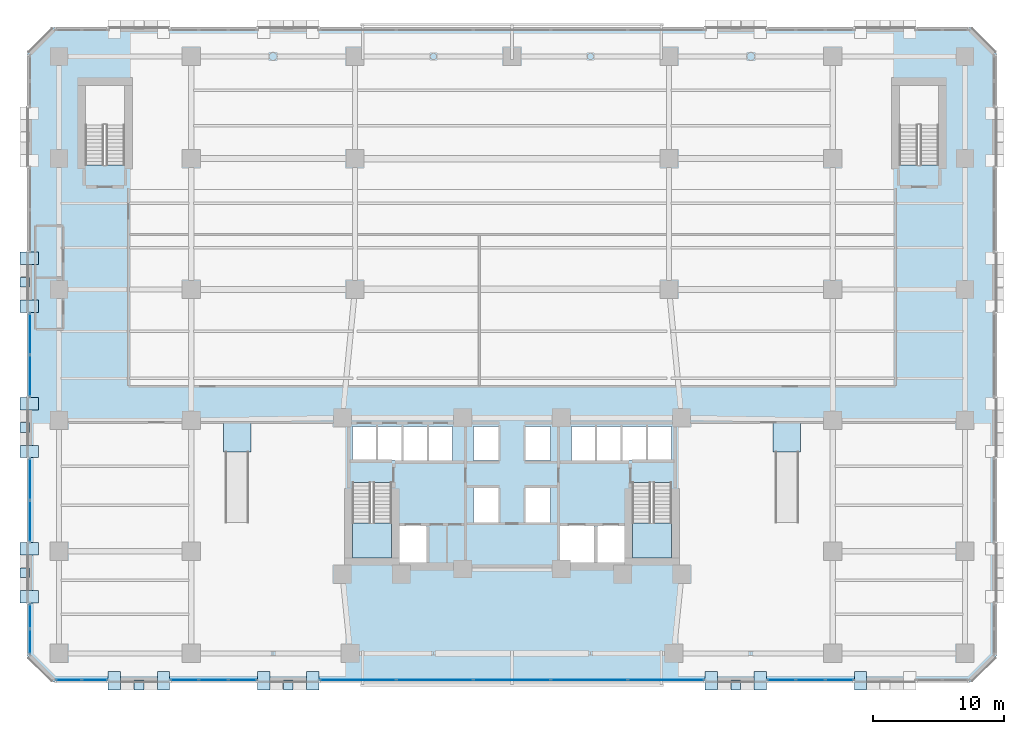
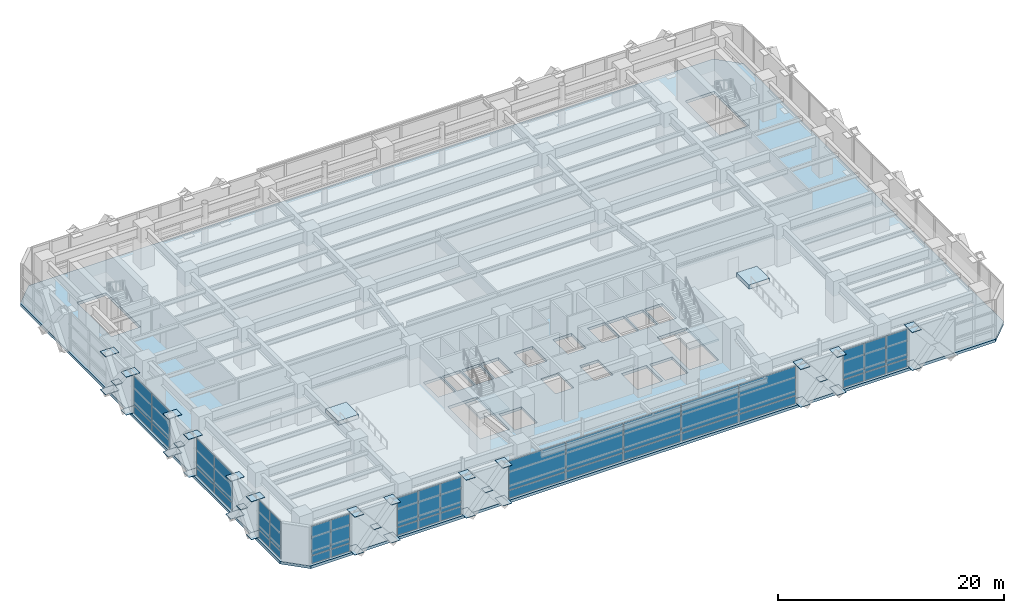
# One storey, part 14 of 30: 70 plates, 5 slabs, 9 elements without a shape of their own.
"""IFC4 building model written with IfcOpenShell, lengths in metres."""

from ifc_helpers import new_model, si_unit, direction, frame, origin, origin_2d, place, context, subcontext, project, spatial, polyline, rectangle, outline, extrude, material, layer, layer_set, type_object, element, aggregate, save


model = new_model("IFC4")

# Units and contexts
model_context = context("Model", 3, precision=1e-05, world=origin(), true_north=direction((0.0, 1.0)))
body_context = subcontext(model_context, "Body", "Model", "MODEL_VIEW")
ifc_project = project(units=[si_unit("LENGTHUNIT", "METRE"), si_unit("AREAUNIT", "SQUARE_METRE"), si_unit("VOLUMEUNIT", "CUBIC_METRE"), si_unit("PLANEANGLEUNIT", "RADIAN"), si_unit("MASSUNIT", "GRAM", prefix="KILO")], contexts=[model_context])

# Site, building, storey
site_placement = place(None, origin())
site = spatial("IfcSite", under=ifc_project, at=site_placement, CompositionType="ELEMENT")
building_placement = place(site_placement, origin())
building = spatial("IfcBuilding", under=site, at=building_placement, Name="Quenlor Broadcast Tower", CompositionType="ELEMENT")
storey_placement = place(building_placement, frame((0.0, 0.0, 9.5)))
storey = spatial("IfcBuildingStorey", under=building, at=storey_placement, Name="L02", CompositionType="ELEMENT", Elevation=9.5)

# Slabs
ifc_material_1 = material(Name="Concrete C40/50", Category="concrete")
ifc_layer_1 = layer(ifc_material_1, 0.449951171875)
ifc_layer_set_1 = layer_set([ifc_layer_1], Name="Broadcast Raised Concrete C40/50 Plinth Slab 450")
slab_type_1 = type_object("IfcSlabType", Name="Broadcast Raised Concrete C40/50 Plinth Slab 450", PredefinedType="FLOOR", material=ifc_layer_set_1)
slab_1_placement = place(storey_placement, origin())
element("IfcSlab", 1, at=slab_1_placement, inside=storey, type_object=slab_type_1, Name="L02 Accessible Ramp Arrival Plinth 1", PredefinedType="FLOOR", context=body_context, shape_type="SweptSolid", body=[
    extrude(outline(polyline([(-22.050048828125, -7.39990234375), (-19.949951171875, -7.39990234375), (-19.949951171875, -5.199951171875), (-22.050048828125, -5.199951171875), (-22.050048828125, -7.39990234375)])), origin(), (0.0, 0.0, 1.0), 0.449951171875),
])
slab_2_placement = place(storey_placement, origin())
element("IfcSlab", 2, at=slab_2_placement, inside=storey, type_object=slab_type_1, Name="L02 Accessible Ramp Arrival Plinth 2", PredefinedType="FLOOR", context=body_context, shape_type="SweptSolid", body=[
    extrude(outline(polyline([(19.949951171875, -7.39990234375), (22.050048828125, -7.39990234375), (22.050048828125, -5.199951171875), (19.949951171875, -5.199951171875), (19.949951171875, -7.39990234375)])), origin(), (0.0, 0.0, 1.0), 0.449951171875),
])

# Curtain wall, plates
ifc_material_2 = material(Name="Architectural Terracotta and Low-E Glazing", Category="masonry")
curtain_wall_type = type_object("IfcCurtainWallType", Name="Station Concourse and Crown Terracotta Curtain Wall", PredefinedType="NOTDEFINED", material=ifc_material_2)
curtain_wall_1_placement = place(storey_placement, origin())
curtain_wall_1 = element("IfcCurtainWall", 3, at=curtain_wall_1_placement, inside=storey, type_object=curtain_wall_type, Name="L02 Curtain Wall CW6 (L02-S-FULL-G2)", PredefinedType="NOTDEFINED")
ifc_material_3 = material(Name="Double Glazed Low-E Solar Glass", Category="glass")
ifc_layer_2 = layer(ifc_material_3, 0.033935546875)
ifc_layer_set_2 = layer_set([ifc_layer_2], Name="CW6 Double Glazed Vision Panel 34")
plate_type_1 = type_object("IfcPlateType", Name="CW6 Double Glazed Vision Panel 34", PredefinedType="CURTAIN_PANEL", material=ifc_layer_set_2)
plate_1_placement = place(storey_placement, frame((25.01318359375, -24.820068359375, 0.08203125), z_axis=(0.0, 0.0, 1.0), x_axis=(-1.0, 0.0, 0.0)))
plate_1 = element("IfcPlate", 4, at=plate_1_placement, type_object=plate_type_1, Name="CW6 panel 1.1", PredefinedType="CURTAIN_PANEL", context=body_context, shape_type="SweptSolid", body=[
    extrude(rectangle(XDim=2.110595703125, YDim=0.033935546875, at=origin_2d()), origin(), (0.0, 0.0, 1.0), 0.826904296875),
])
plate_2_placement = place(storey_placement, frame((25.01318359375, -24.820068359375, 0.990966796875), z_axis=(0.0, 0.0, 1.0), x_axis=(-1.0, 0.0, 0.0)))
plate_2 = element("IfcPlate", 5, at=plate_2_placement, type_object=plate_type_1, Name="CW6 panel 1.2", PredefinedType="CURTAIN_PANEL", context=body_context, shape_type="SweptSolid", body=[
    extrude(rectangle(XDim=2.110595703125, YDim=0.033935546875, at=origin_2d()), origin(), (0.0, 0.0, 1.0), 3.126953125),
])
plate_3_placement = place(storey_placement, frame((22.800048828125, -24.820068359375, 0.08203125), z_axis=(0.0, 0.0, 1.0), x_axis=(-1.0, 0.0, 0.0)))
plate_3 = element("IfcPlate", 6, at=plate_3_placement, type_object=plate_type_1, Name="CW6 panel 2.1", PredefinedType="CURTAIN_PANEL", context=body_context, shape_type="SweptSolid", body=[
    extrude(rectangle(XDim=2.151611328125, YDim=0.033935546875, at=origin_2d()), origin(), (0.0, 0.0, 1.0), 0.826904296875),
])
plate_4_placement = place(storey_placement, frame((22.800048828125, -24.820068359375, 0.990966796875), z_axis=(0.0, 0.0, 1.0), x_axis=(-1.0, 0.0, 0.0)))
plate_4 = element("IfcPlate", 7, at=plate_4_placement, type_object=plate_type_1, Name="CW6 panel 2.2", PredefinedType="CURTAIN_PANEL", context=body_context, shape_type="SweptSolid", body=[
    extrude(rectangle(XDim=2.151611328125, YDim=0.033935546875, at=origin_2d()), origin(), (0.0, 0.0, 1.0), 3.126953125),
])
plate_5_placement = place(storey_placement, frame((20.5869140625, -24.820068359375, 0.08203125), z_axis=(0.0, 0.0, 1.0), x_axis=(-1.0, 0.0, 0.0)))
plate_5 = element("IfcPlate", 8, at=plate_5_placement, type_object=plate_type_1, Name="CW6 panel 3.1", PredefinedType="CURTAIN_PANEL", context=body_context, shape_type="SweptSolid", body=[
    extrude(rectangle(XDim=2.110595703125, YDim=0.033935546875, at=origin_2d()), origin(), (0.0, 0.0, 1.0), 0.826904296875),
])
plate_6_placement = place(storey_placement, frame((20.5869140625, -24.820068359375, 0.990966796875), z_axis=(0.0, 0.0, 1.0), x_axis=(-1.0, 0.0, 0.0)))
plate_6 = element("IfcPlate", 9, at=plate_6_placement, type_object=plate_type_1, Name="CW6 panel 3.2", PredefinedType="CURTAIN_PANEL", context=body_context, shape_type="SweptSolid", body=[
    extrude(rectangle(XDim=2.110595703125, YDim=0.033935546875, at=origin_2d()), origin(), (0.0, 0.0, 1.0), 3.126953125),
])
aggregate(curtain_wall_1, [plate_1, plate_2, plate_3, plate_4, plate_5, plate_6])

curtain_wall_2_placement = place(storey_placement, origin())
curtain_wall_2 = element("IfcCurtainWall", 10, at=curtain_wall_2_placement, inside=storey, type_object=curtain_wall_type, Name="L02 Curtain Wall CW6 (L02-S-FULL-G3)", PredefinedType="NOTDEFINED")
plate_7_placement = place(storey_placement, frame((11.77978515625, -24.820068359375, 0.08203125), z_axis=(0.0, 0.0, 1.0), x_axis=(-1.0, 0.0, 0.0)))
plate_7 = element("IfcPlate", 11, at=plate_7_placement, type_object=plate_type_1, Name="CW6 panel 1.1", PredefinedType="CURTAIN_PANEL", context=body_context, shape_type="SweptSolid", body=[
    extrude(rectangle(XDim=5.777099609375, YDim=0.033935546875, at=origin_2d()), origin(), (0.0, 0.0, 1.0), 0.826904296875),
])
plate_8_placement = place(storey_placement, frame((11.77978515625, -24.820068359375, 0.990966796875), z_axis=(0.0, 0.0, 1.0), x_axis=(-1.0, 0.0, 0.0)))
plate_8 = element("IfcPlate", 12, at=plate_8_placement, type_object=plate_type_1, Name="CW6 panel 1.2", PredefinedType="CURTAIN_PANEL", context=body_context, shape_type="SweptSolid", body=[
    extrude(rectangle(XDim=5.777099609375, YDim=0.033935546875, at=origin_2d()), origin(), (0.0, 0.0, 1.0), 3.126953125),
])
plate_9_placement = place(storey_placement, frame((5.900146484375, -24.820068359375, 0.08203125), z_axis=(0.0, 0.0, 1.0), x_axis=(-1.0, 0.0, 0.0)))
plate_9 = element("IfcPlate", 13, at=plate_9_placement, type_object=plate_type_1, Name="CW6 panel 2.1", PredefinedType="CURTAIN_PANEL", context=body_context, shape_type="SweptSolid", body=[
    extrude(rectangle(XDim=5.818115234375, YDim=0.033935546875, at=origin_2d()), origin(), (0.0, 0.0, 1.0), 0.826904296875),
])
plate_10_placement = place(storey_placement, frame((5.900146484375, -24.820068359375, 0.990966796875), z_axis=(0.0, 0.0, 1.0), x_axis=(-1.0, 0.0, 0.0)))
plate_10 = element("IfcPlate", 14, at=plate_10_placement, type_object=plate_type_1, Name="CW6 panel 2.2", PredefinedType="CURTAIN_PANEL", context=body_context, shape_type="SweptSolid", body=[
    extrude(rectangle(XDim=5.818115234375, YDim=0.033935546875, at=origin_2d()), origin(), (0.0, 0.0, 1.0), 3.126953125),
])
plate_11_placement = place(storey_placement, frame((0.0, -24.820068359375, 0.08203125), z_axis=(0.0, 0.0, 1.0), x_axis=(-1.0, 0.0, 0.0)))
plate_11 = element("IfcPlate", 15, at=plate_11_placement, type_object=plate_type_1, Name="CW6 panel 3.1", PredefinedType="CURTAIN_PANEL", context=body_context, shape_type="SweptSolid", body=[
    extrude(rectangle(XDim=5.818115234375, YDim=0.033935546875, at=origin_2d()), origin(), (0.0, 0.0, 1.0), 0.826904296875),
])
plate_12_placement = place(storey_placement, frame((0.0, -24.820068359375, 0.990966796875), z_axis=(0.0, 0.0, 1.0), x_axis=(-1.0, 0.0, 0.0)))
plate_12 = element("IfcPlate", 16, at=plate_12_placement, type_object=plate_type_1, Name="CW6 panel 3.2", PredefinedType="CURTAIN_PANEL", context=body_context, shape_type="SweptSolid", body=[
    extrude(rectangle(XDim=5.818115234375, YDim=0.033935546875, at=origin_2d()), origin(), (0.0, 0.0, 1.0), 3.126953125),
])
plate_13_placement = place(storey_placement, frame((-5.900146484375, -24.820068359375, 0.08203125), z_axis=(0.0, 0.0, 1.0), x_axis=(-1.0, 0.0, 0.0)))
plate_13 = element("IfcPlate", 17, at=plate_13_placement, type_object=plate_type_1, Name="CW6 panel 4.1", PredefinedType="CURTAIN_PANEL", context=body_context, shape_type="SweptSolid", body=[
    extrude(rectangle(XDim=5.818115234375, YDim=0.033935546875, at=origin_2d()), origin(), (0.0, 0.0, 1.0), 0.826904296875),
])
plate_14_placement = place(storey_placement, frame((-5.900146484375, -24.820068359375, 0.990966796875), z_axis=(0.0, 0.0, 1.0), x_axis=(-1.0, 0.0, 0.0)))
plate_14 = element("IfcPlate", 18, at=plate_14_placement, type_object=plate_type_1, Name="CW6 panel 4.2", PredefinedType="CURTAIN_PANEL", context=body_context, shape_type="SweptSolid", body=[
    extrude(rectangle(XDim=5.818115234375, YDim=0.033935546875, at=origin_2d()), origin(), (0.0, 0.0, 1.0), 3.126953125),
])
plate_15_placement = place(storey_placement, frame((-11.77978515625, -24.820068359375, 0.08203125), z_axis=(0.0, 0.0, 1.0), x_axis=(-1.0, 0.0, 0.0)))
plate_15 = element("IfcPlate", 19, at=plate_15_placement, type_object=plate_type_1, Name="CW6 panel 5.1", PredefinedType="CURTAIN_PANEL", context=body_context, shape_type="SweptSolid", body=[
    extrude(rectangle(XDim=5.777099609375, YDim=0.033935546875, at=origin_2d()), origin(), (0.0, 0.0, 1.0), 0.826904296875),
])
plate_16_placement = place(storey_placement, frame((-11.77978515625, -24.820068359375, 0.990966796875), z_axis=(0.0, 0.0, 1.0), x_axis=(-1.0, 0.0, 0.0)))
plate_16 = element("IfcPlate", 20, at=plate_16_placement, type_object=plate_type_1, Name="CW6 panel 5.2", PredefinedType="CURTAIN_PANEL", context=body_context, shape_type="SweptSolid", body=[
    extrude(rectangle(XDim=5.777099609375, YDim=0.033935546875, at=origin_2d()), origin(), (0.0, 0.0, 1.0), 3.126953125),
])
aggregate(curtain_wall_2, [plate_7, plate_8, plate_9, plate_10, plate_11, plate_12, plate_13, plate_14, plate_15, plate_16])

curtain_wall_3_placement = place(storey_placement, origin())
curtain_wall_3 = element("IfcCurtainWall", 21, at=curtain_wall_3_placement, inside=storey, type_object=curtain_wall_type, Name="L02 Curtain Wall CW6 (L02-S-FULL-G4)", PredefinedType="NOTDEFINED")
plate_17_placement = place(storey_placement, frame((-20.5869140625, -24.820068359375, 0.08203125), z_axis=(0.0, 0.0, 1.0), x_axis=(-1.0, 0.0, 0.0)))
plate_17 = element("IfcPlate", 22, at=plate_17_placement, type_object=plate_type_1, Name="CW6 panel 1.1", PredefinedType="CURTAIN_PANEL", context=body_context, shape_type="SweptSolid", body=[
    extrude(rectangle(XDim=2.110595703125, YDim=0.033935546875, at=origin_2d()), origin(), (0.0, 0.0, 1.0), 0.826904296875),
])
plate_18_placement = place(storey_placement, frame((-20.5869140625, -24.820068359375, 0.990966796875), z_axis=(0.0, 0.0, 1.0), x_axis=(-1.0, 0.0, 0.0)))
plate_18 = element("IfcPlate", 23, at=plate_18_placement, type_object=plate_type_1, Name="CW6 panel 1.2", PredefinedType="CURTAIN_PANEL", context=body_context, shape_type="SweptSolid", body=[
    extrude(rectangle(XDim=2.110595703125, YDim=0.033935546875, at=origin_2d()), origin(), (0.0, 0.0, 1.0), 3.126953125),
])
plate_19_placement = place(storey_placement, frame((-22.800048828125, -24.820068359375, 0.08203125), z_axis=(0.0, 0.0, 1.0), x_axis=(-1.0, 0.0, 0.0)))
plate_19 = element("IfcPlate", 24, at=plate_19_placement, type_object=plate_type_1, Name="CW6 panel 2.1", PredefinedType="CURTAIN_PANEL", context=body_context, shape_type="SweptSolid", body=[
    extrude(rectangle(XDim=2.151611328125, YDim=0.033935546875, at=origin_2d()), origin(), (0.0, 0.0, 1.0), 0.826904296875),
])
plate_20_placement = place(storey_placement, frame((-22.800048828125, -24.820068359375, 0.990966796875), z_axis=(0.0, 0.0, 1.0), x_axis=(-1.0, 0.0, 0.0)))
plate_20 = element("IfcPlate", 25, at=plate_20_placement, type_object=plate_type_1, Name="CW6 panel 2.2", PredefinedType="CURTAIN_PANEL", context=body_context, shape_type="SweptSolid", body=[
    extrude(rectangle(XDim=2.151611328125, YDim=0.033935546875, at=origin_2d()), origin(), (0.0, 0.0, 1.0), 3.126953125),
])
plate_21_placement = place(storey_placement, frame((-25.01318359375, -24.820068359375, 0.08203125), z_axis=(0.0, 0.0, 1.0), x_axis=(-1.0, 0.0, 0.0)))
plate_21 = element("IfcPlate", 26, at=plate_21_placement, type_object=plate_type_1, Name="CW6 panel 3.1", PredefinedType="CURTAIN_PANEL", context=body_context, shape_type="SweptSolid", body=[
    extrude(rectangle(XDim=2.110595703125, YDim=0.033935546875, at=origin_2d()), origin(), (0.0, 0.0, 1.0), 0.826904296875),
])
plate_22_placement = place(storey_placement, frame((-25.01318359375, -24.820068359375, 0.990966796875), z_axis=(0.0, 0.0, 1.0), x_axis=(-1.0, 0.0, 0.0)))
plate_22 = element("IfcPlate", 27, at=plate_22_placement, type_object=plate_type_1, Name="CW6 panel 3.2", PredefinedType="CURTAIN_PANEL", context=body_context, shape_type="SweptSolid", body=[
    extrude(rectangle(XDim=2.110595703125, YDim=0.033935546875, at=origin_2d()), origin(), (0.0, 0.0, 1.0), 3.126953125),
])
aggregate(curtain_wall_3, [plate_17, plate_18, plate_19, plate_20, plate_21, plate_22])

curtain_wall_4_placement = place(storey_placement, origin())
curtain_wall_4 = element("IfcCurtainWall", 28, at=curtain_wall_4_placement, inside=storey, type_object=curtain_wall_type, Name="L02 Curtain Wall CW6 (L02-S-FULL-G5)", PredefinedType="NOTDEFINED")
plate_23_placement = place(storey_placement, frame((-31.882568359375, -24.820068359375, 0.08203125), z_axis=(0.0, 0.0, 1.0), x_axis=(-1.0, 0.0, 0.0)))
plate_23 = element("IfcPlate", 29, at=plate_23_placement, type_object=plate_type_1, Name="CW6 panel 1.1", PredefinedType="CURTAIN_PANEL", context=body_context, shape_type="SweptSolid", body=[
    extrude(rectangle(XDim=1.90234375, YDim=0.033935546875, at=origin_2d()), origin(), (0.0, 0.0, 1.0), 0.826904296875),
])
plate_24_placement = place(storey_placement, frame((-31.882568359375, -24.820068359375, 0.990966796875), z_axis=(0.0, 0.0, 1.0), x_axis=(-1.0, 0.0, 0.0)))
plate_24 = element("IfcPlate", 30, at=plate_24_placement, type_object=plate_type_1, Name="CW6 panel 1.2", PredefinedType="CURTAIN_PANEL", context=body_context, shape_type="SweptSolid", body=[
    extrude(rectangle(XDim=1.90234375, YDim=0.033935546875, at=origin_2d()), origin(), (0.0, 0.0, 1.0), 3.126953125),
])
plate_25_placement = place(storey_placement, frame((-33.866943359375, -24.820068359375, 0.08203125), z_axis=(0.0, 0.0, 1.0), x_axis=(-1.0, 0.0, 0.0)))
plate_25 = element("IfcPlate", 31, at=plate_25_placement, type_object=plate_type_1, Name="CW6 panel 2.1", PredefinedType="CURTAIN_PANEL", context=body_context, shape_type="SweptSolid", body=[
    extrude(rectangle(XDim=1.90234375, YDim=0.033935546875, at=origin_2d()), origin(), (0.0, 0.0, 1.0), 0.826904296875),
])
plate_26_placement = place(storey_placement, frame((-33.866943359375, -24.820068359375, 0.990966796875), z_axis=(0.0, 0.0, 1.0), x_axis=(-1.0, 0.0, 0.0)))
plate_26 = element("IfcPlate", 32, at=plate_26_placement, type_object=plate_type_1, Name="CW6 panel 2.2", PredefinedType="CURTAIN_PANEL", context=body_context, shape_type="SweptSolid", body=[
    extrude(rectangle(XDim=1.90234375, YDim=0.033935546875, at=origin_2d()), origin(), (0.0, 0.0, 1.0), 3.126953125),
])
aggregate(curtain_wall_4, [plate_23, plate_24, plate_25, plate_26])

curtain_wall_5_placement = place(storey_placement, origin())
curtain_wall_5 = element("IfcCurtainWall", 33, at=curtain_wall_5_placement, inside=storey, type_object=curtain_wall_type, Name="L02 Curtain Wall CW6 (L02-W-FULL-G1)", PredefinedType="NOTDEFINED")
plate_27_placement = place(storey_placement, frame((-36.820068359375, -21.892578125, 0.08203125), z_axis=(0.0, 0.0, 1.0), x_axis=(0.0, 1.0, 0.0)))
plate_27 = element("IfcPlate", 34, at=plate_27_placement, type_object=plate_type_1, Name="CW6 panel 1.1", PredefinedType="CURTAIN_PANEL", context=body_context, shape_type="SweptSolid", body=[
    extrude(rectangle(XDim=1.8505859375, YDim=0.033935546875, at=origin_2d()), origin(), (0.0, 0.0, 1.0), 0.826904296875),
])
plate_28_placement = place(storey_placement, frame((-36.820068359375, -21.892578125, 0.990966796875), z_axis=(0.0, 0.0, 1.0), x_axis=(0.0, 1.0, 0.0)))
plate_28 = element("IfcPlate", 35, at=plate_28_placement, type_object=plate_type_1, Name="CW6 panel 1.2", PredefinedType="CURTAIN_PANEL", context=body_context, shape_type="SweptSolid", body=[
    extrude(rectangle(XDim=1.8505859375, YDim=0.033935546875, at=origin_2d()), origin(), (0.0, 0.0, 1.0), 3.126953125),
])
plate_29_placement = place(storey_placement, frame((-36.820068359375, -19.9599609375, 0.08203125), z_axis=(0.0, 0.0, 1.0), x_axis=(0.0, 1.0, 0.0)))
plate_29 = element("IfcPlate", 36, at=plate_29_placement, type_object=plate_type_1, Name="CW6 panel 2.1", PredefinedType="CURTAIN_PANEL", context=body_context, shape_type="SweptSolid", body=[
    extrude(rectangle(XDim=1.8505859375, YDim=0.033935546875, at=origin_2d()), origin(), (0.0, 0.0, 1.0), 0.826904296875),
])
plate_30_placement = place(storey_placement, frame((-36.820068359375, -19.9599609375, 0.990966796875), z_axis=(0.0, 0.0, 1.0), x_axis=(0.0, 1.0, 0.0)))
plate_30 = element("IfcPlate", 37, at=plate_30_placement, type_object=plate_type_1, Name="CW6 panel 2.2", PredefinedType="CURTAIN_PANEL", context=body_context, shape_type="SweptSolid", body=[
    extrude(rectangle(XDim=1.8505859375, YDim=0.033935546875, at=origin_2d()), origin(), (0.0, 0.0, 1.0), 3.126953125),
])
aggregate(curtain_wall_5, [plate_27, plate_28, plate_29, plate_30])

curtain_wall_6_placement = place(storey_placement, origin())
curtain_wall_6 = element("IfcCurtainWall", 38, at=curtain_wall_6_placement, inside=storey, type_object=curtain_wall_type, Name="L02 Curtain Wall CW6 (L02-W-FULL-G2)", PredefinedType="NOTDEFINED")
plate_31_placement = place(storey_placement, frame((-36.820068359375, -12.703125, 0.08203125), z_axis=(0.0, 0.0, 1.0), x_axis=(0.0, 1.0, 0.0)))
plate_31 = element("IfcPlate", 39, at=plate_31_placement, type_object=plate_type_1, Name="CW6 panel 1.1", PredefinedType="CURTAIN_PANEL", context=body_context, shape_type="SweptSolid", body=[
    extrude(rectangle(XDim=3.124267578125, YDim=0.033935546875, at=origin_2d()), origin(), (0.0, 0.0, 1.0), 0.826904296875),
])
plate_32_placement = place(storey_placement, frame((-36.820068359375, -12.703125, 0.990966796875), z_axis=(0.0, 0.0, 1.0), x_axis=(0.0, 1.0, 0.0)))
plate_32 = element("IfcPlate", 40, at=plate_32_placement, type_object=plate_type_1, Name="CW6 panel 1.2", PredefinedType="CURTAIN_PANEL", context=body_context, shape_type="SweptSolid", body=[
    extrude(rectangle(XDim=3.124267578125, YDim=0.033935546875, at=origin_2d()), origin(), (0.0, 0.0, 1.0), 3.126953125),
])
plate_33_placement = place(storey_placement, frame((-36.820068359375, -9.496826171875, 0.08203125), z_axis=(0.0, 0.0, 1.0), x_axis=(0.0, 1.0, 0.0)))
plate_33 = element("IfcPlate", 41, at=plate_33_placement, type_object=plate_type_1, Name="CW6 panel 2.1", PredefinedType="CURTAIN_PANEL", context=body_context, shape_type="SweptSolid", body=[
    extrude(rectangle(XDim=3.124267578125, YDim=0.033935546875, at=origin_2d()), origin(), (0.0, 0.0, 1.0), 0.826904296875),
])
plate_34_placement = place(storey_placement, frame((-36.820068359375, -9.496826171875, 0.990966796875), z_axis=(0.0, 0.0, 1.0), x_axis=(0.0, 1.0, 0.0)))
plate_34 = element("IfcPlate", 42, at=plate_34_placement, type_object=plate_type_1, Name="CW6 panel 2.2", PredefinedType="CURTAIN_PANEL", context=body_context, shape_type="SweptSolid", body=[
    extrude(rectangle(XDim=3.124267578125, YDim=0.033935546875, at=origin_2d()), origin(), (0.0, 0.0, 1.0), 3.126953125),
])
aggregate(curtain_wall_6, [plate_31, plate_32, plate_33, plate_34])

curtain_wall_7_placement = place(storey_placement, origin())
curtain_wall_7 = element("IfcCurtainWall", 43, at=curtain_wall_7_placement, inside=storey, type_object=curtain_wall_type, Name="L02 Curtain Wall CW6 (L02-W-FULL-G3)", PredefinedType="NOTDEFINED")
plate_35_placement = place(storey_placement, frame((-36.820068359375, -1.603271484375, 0.08203125), z_axis=(0.0, 0.0, 1.0), x_axis=(0.0, 1.0, 0.0)))
plate_35 = element("IfcPlate", 44, at=plate_35_placement, type_object=plate_type_1, Name="CW6 panel 1.1", PredefinedType="CURTAIN_PANEL", context=body_context, shape_type="SweptSolid", body=[
    extrude(rectangle(XDim=3.124267578125, YDim=0.033935546875, at=origin_2d()), origin(), (0.0, 0.0, 1.0), 0.826904296875),
])
plate_36_placement = place(storey_placement, frame((-36.820068359375, -1.603271484375, 0.990966796875), z_axis=(0.0, 0.0, 1.0), x_axis=(0.0, 1.0, 0.0)))
plate_36 = element("IfcPlate", 45, at=plate_36_placement, type_object=plate_type_1, Name="CW6 panel 1.2", PredefinedType="CURTAIN_PANEL", context=body_context, shape_type="SweptSolid", body=[
    extrude(rectangle(XDim=3.124267578125, YDim=0.033935546875, at=origin_2d()), origin(), (0.0, 0.0, 1.0), 3.126953125),
])
plate_37_placement = place(storey_placement, frame((-36.820068359375, 1.603271484375, 0.08203125), z_axis=(0.0, 0.0, 1.0), x_axis=(0.0, 1.0, 0.0)))
plate_37 = element("IfcPlate", 46, at=plate_37_placement, type_object=plate_type_1, Name="CW6 panel 2.1", PredefinedType="CURTAIN_PANEL", context=body_context, shape_type="SweptSolid", body=[
    extrude(rectangle(XDim=3.124267578125, YDim=0.033935546875, at=origin_2d()), origin(), (0.0, 0.0, 1.0), 0.826904296875),
])
plate_38_placement = place(storey_placement, frame((-36.820068359375, 1.603271484375, 0.990966796875), z_axis=(0.0, 0.0, 1.0), x_axis=(0.0, 1.0, 0.0)))
plate_38 = element("IfcPlate", 47, at=plate_38_placement, type_object=plate_type_1, Name="CW6 panel 2.2", PredefinedType="CURTAIN_PANEL", context=body_context, shape_type="SweptSolid", body=[
    extrude(rectangle(XDim=3.124267578125, YDim=0.033935546875, at=origin_2d()), origin(), (0.0, 0.0, 1.0), 3.126953125),
])
aggregate(curtain_wall_7, [plate_35, plate_36, plate_37, plate_38])

# Plates
ifc_material_4 = material(Name="Steel S355", Category="steel")
ifc_layer_3 = layer(ifc_material_4, 0.028076171875)
ifc_layer_set_3 = layer_set([ifc_layer_3], Name="Perimeter Lattice Node Steel S355 Cap Plate 740x740x28")
plate_type_2 = type_object("IfcPlateType", Name="Perimeter Lattice Node Steel S355 Cap Plate 740x740x28", PredefinedType="USERDEFINED", material=ifc_layer_set_3)
for number, where, z_axis, x_axis, name in (
    (48, (17.10009765625, -25.215087890625, 2.11572265625), (0.0, 0.0, 1.0), (-1.0, 0.0, 0.0), "L02 Podium Diamond Crossing Node S-C2"),
    (49, (-17.10009765625, -25.215087890625, 2.11572265625), (0.0, 0.0, 1.0), (-1.0, 0.0, 0.0), "L02 Podium Diamond Crossing Node S-C5"),
    (50, (-28.5, -25.215087890625, 2.11572265625), (0.0, 0.0, 1.0), (-1.0, 0.0, 0.0), "L02 Podium Diamond Crossing Node S-C6"),
    (51, (-37.215087890625, -16.64990234375, 2.11572265625), (0.0, 0.0, 1.0), (0.0, 1.0, 0.0), "L02 Podium Diamond Crossing Node W-C1"),
    (52, (-37.215087890625, -5.550048828125, 2.11572265625), (0.0, 0.0, 1.0), (0.0, 1.0, 0.0), "L02 Podium Diamond Crossing Node W-C2"),
    (53, (-37.215087890625, 5.550048828125, 2.11572265625), (0.0, 0.0, 1.0), (0.0, 1.0, 0.0), "L02 Podium Diamond Crossing Node W-C3"),
):
    element("IfcPlate", number, at=place(storey_placement, frame(where, z_axis=z_axis, x_axis=x_axis)), inside=storey, type_object=plate_type_2, Name=name, ObjectType="CAP PLATE", PredefinedType="USERDEFINED", context=body_context, shape_type="SweptSolid", body=[
        extrude(rectangle(XDim=0.739990234375, YDim=0.739990234375, at=origin_2d()), origin(), (0.0, 0.0, 1.0), 0.028076171875),
    ])

# Stair, slab
ifc_material_5 = material(Name="Precast concrete C40/50", Category="concrete")
stair_type = type_object("IfcStairType", Name="Precast Concrete C40/50 Dogleg Stair H450", PredefinedType="HALF_TURN_STAIR", material=ifc_material_5)
stair_1_placement = place(storey_placement, origin())
stair_1 = element("IfcStair", 54, at=stair_1_placement, inside=storey, type_object=stair_type, Name="L02 West Core Fire-Isolated Exit Stair ST-1", PredefinedType="HALF_TURN_STAIR")
ifc_material_6 = material(Name="Precast concrete C40/50", Category="concrete")
ifc_layer_4 = layer(ifc_material_6, 0.199951171875)
ifc_layer_set_4 = layer_set([ifc_layer_4], Name="Precast Concrete C40/50 Stair Landing Slab 200")
slab_type_2 = type_object("IfcSlabType", Name="Precast Concrete C40/50 Stair Landing Slab 200", PredefinedType="LANDING", material=ifc_layer_set_4)
slab_3_placement = place(storey_placement, frame((0.0, 0.0, 2.050048828125)))
slab_3 = element("IfcSlab", 55, at=slab_3_placement, type_object=slab_type_2, Name="ST-1 landing 1", PredefinedType="LANDING", context=body_context, shape_type="SweptSolid", body=[
    extrude(outline(polyline([(-12.199951171875, -12.830078125), (-12.199951171875, -15.5), (-9.199951171875, -15.5), (-9.199951171875, -12.830078125), (-12.199951171875, -12.830078125)])), origin(), (0.0, 0.0, 1.0), 0.199951171875),
])
aggregate(stair_1, [slab_3])

stair_2_placement = place(storey_placement, origin())
stair_2 = element("IfcStair", 56, at=stair_2_placement, inside=storey, type_object=stair_type, Name="L02 East Core Fire-Isolated Exit Stair ST-2", PredefinedType="HALF_TURN_STAIR")
slab_4_placement = place(storey_placement, frame((0.0, 0.0, 2.050048828125)))
slab_4 = element("IfcSlab", 57, at=slab_4_placement, type_object=slab_type_2, Name="ST-2 landing 1", PredefinedType="LANDING", context=body_context, shape_type="SweptSolid", body=[
    extrude(outline(polyline([(9.199951171875, -12.830078125), (9.199951171875, -15.5), (12.199951171875, -15.5), (12.199951171875, -12.830078125), (9.199951171875, -12.830078125)])), origin(), (0.0, 0.0, 1.0), 0.199951171875),
])
aggregate(stair_2, [slab_4])

# Slab
ifc_material_7 = material(Name="Concrete C50/60", Category="concrete")
ifc_layer_5 = layer(ifc_material_7, 0.300048828125)
ifc_layer_set_5 = layer_set([ifc_layer_5], Name="Station Podium Concrete C50/60 Slab 300")
slab_type_3 = type_object("IfcSlabType", Name="Station Podium Concrete C50/60 Slab 300", PredefinedType="FLOOR", material=ifc_layer_set_5)
slab_5_placement = place(storey_placement, frame((0.0, 0.0, -0.300048828125)))
element("IfcSlab", 58, at=slab_5_placement, inside=storey, type_object=slab_type_3, Name="L02 Structural Floor Slab", PredefinedType="FLOOR", context=body_context, shape_type="SweptSolid", body=[
    extrude(outline(polyline([(-35.0, -25.0), (35.0, -25.0), (37.0, -23.0), (37.0, 23.0), (35.0, 25.0), (-35.0, 25.0), (-37.0, 23.0), (-37.0, -23.0), (-35.0, -25.0)]), holes=[polyline([(-12.199951171875, -9.758056640625), (-12.199951171875, -15.5), (-9.199951171875, -15.5), (-9.199951171875, -9.758056640625), (-12.199951171875, -9.758056640625)]), polyline([(9.199951171875, -9.758056640625), (9.199951171875, -15.5), (12.199951171875, -15.5), (12.199951171875, -9.758056640625), (9.199951171875, -9.758056640625)]), polyline([(-29.60009765625, 14.508056640625), (-29.60009765625, 20.60009765625), (-32.60009765625, 20.60009765625), (-32.60009765625, 14.508056640625), (-29.60009765625, 14.508056640625)]), polyline([(32.60009765625, 14.508056640625), (32.60009765625, 20.60009765625), (29.60009765625, 20.60009765625), (29.60009765625, 14.508056640625), (32.60009765625, 14.508056640625)]), polyline([(-12.199951171875, -8.050048828125), (-10.39990234375, -8.050048828125), (-10.39990234375, -5.449951171875), (-12.199951171875, -5.449951171875), (-12.199951171875, -8.050048828125)]), polyline([(-10.25, -8.050048828125), (-8.449951171875, -8.050048828125), (-8.449951171875, -5.449951171875), (-10.25, -5.449951171875), (-10.25, -8.050048828125)]), polyline([(-8.300048828125, -8.050048828125), (-6.5, -8.050048828125), (-6.5, -5.449951171875), (-8.300048828125, -5.449951171875), (-8.300048828125, -8.050048828125)]), polyline([(-6.35009765625, -8.050048828125), (-4.550048828125, -8.050048828125), (-4.550048828125, -5.449951171875), (-6.35009765625, -5.449951171875), (-6.35009765625, -8.050048828125)]), polyline([(-2.949951171875, -8.050048828125), (-1.050048828125, -8.050048828125), (-1.050048828125, -5.449951171875), (-2.949951171875, -5.449951171875), (-2.949951171875, -8.050048828125)]), polyline([(1.050048828125, -8.050048828125), (2.949951171875, -8.050048828125), (2.949951171875, -5.449951171875), (1.050048828125, -5.449951171875), (1.050048828125, -8.050048828125)]), polyline([(-2.949951171875, -12.800048828125), (-1.050048828125, -12.800048828125), (-1.050048828125, -10.14990234375), (-2.949951171875, -10.14990234375), (-2.949951171875, -12.800048828125)]), polyline([(1.050048828125, -12.800048828125), (2.949951171875, -12.800048828125), (2.949951171875, -10.14990234375), (1.050048828125, -10.14990234375), (1.050048828125, -12.800048828125)]), polyline([(4.550048828125, -8.050048828125), (6.35009765625, -8.050048828125), (6.35009765625, -5.449951171875), (4.550048828125, -5.449951171875), (4.550048828125, -8.050048828125)]), polyline([(6.5, -8.050048828125), (8.300048828125, -8.050048828125), (8.300048828125, -5.449951171875), (6.5, -5.449951171875), (6.5, -8.050048828125)]), polyline([(8.449951171875, -8.050048828125), (10.25, -8.050048828125), (10.25, -5.449951171875), (8.449951171875, -5.449951171875), (8.449951171875, -8.050048828125)]), polyline([(10.39990234375, -8.050048828125), (12.199951171875, -8.050048828125), (12.199951171875, -5.449951171875), (10.39990234375, -5.449951171875), (10.39990234375, -8.050048828125)]), polyline([(-8.85009765625, -15.85009765625), (-6.550048828125, -15.85009765625), (-6.550048828125, -13.050048828125), (-8.85009765625, -13.050048828125), (-8.85009765625, -15.85009765625)]), polyline([(6.550048828125, -15.85009765625), (8.85009765625, -15.85009765625), (8.85009765625, -13.050048828125), (6.550048828125, -13.050048828125), (6.550048828125, -15.85009765625)]), polyline([(3.64990234375, -15.85009765625), (6.25, -15.85009765625), (6.25, -13.050048828125), (3.64990234375, -13.050048828125), (3.64990234375, -15.85009765625)])]), origin(), (0.0, 0.0, 1.0), 0.300048828125),
])

# Plates
ifc_material_8 = material(Name="Steel S355", Category="steel")
ifc_layer_6 = layer(ifc_material_8, 0.035888671875)
ifc_layer_set_6 = layer_set([ifc_layer_6], Name="Transfer Truss Steel S355 Gusset Node Plate 1400x950x36")
plate_type_3 = type_object("IfcPlateType", Name="Transfer Truss Steel S355 Gusset Node Plate 1400x950x36", PredefinedType="SHEET", material=ifc_layer_set_6)
for number, where, z_axis, x_axis, name in (
    (59, (26.622802734375, -24.8798828125, 4.14208984375), (0.0, 0.0, 1.0), (0.0, -1.0, 0.0), "L02 Podium Lattice Tie Gusset S-T2"),
    (60, (26.622802734375, -24.8798828125, 0.0419921875), (0.0, 0.0, 1.0), (0.0, -1.0, 0.0), "L02 Podium Lattice Tie Gusset S-B2"),
    (61, (18.977294921875, -24.8798828125, 0.0419921875), (0.0, 0.0, 1.0), (0.0, -1.0, 0.0), "L02 Podium Lattice Tie Gusset S-B4"),
    (62, (15.222900390625, -24.8798828125, 4.14208984375), (0.0, 0.0, 1.0), (0.0, -1.0, 0.0), "L02 Podium Lattice Tie Gusset S-T5"),
    (63, (15.222900390625, -24.8798828125, 0.0419921875), (0.0, 0.0, 1.0), (0.0, -1.0, 0.0), "L02 Podium Lattice Tie Gusset S-B5"),
    (64, (18.977294921875, -24.8798828125, 4.14208984375), (0.0, 0.0, 1.0), (0.0, -1.0, 0.0), "L02 Podium Lattice Tie Gusset S-T4"),
    (65, (-15.222900390625, -24.8798828125, 0.0419921875), (0.0, 0.0, 1.0), (0.0, -1.0, 0.0), "L02 Podium Lattice Tie Gusset S-B13"),
    (66, (-18.977294921875, -24.8798828125, 4.14208984375), (0.0, 0.0, 1.0), (0.0, -1.0, 0.0), "L02 Podium Lattice Tie Gusset S-T14"),
    (67, (-18.977294921875, -24.8798828125, 0.0419921875), (0.0, 0.0, 1.0), (0.0, -1.0, 0.0), "L02 Podium Lattice Tie Gusset S-B14"),
    (68, (-15.222900390625, -24.8798828125, 4.14208984375), (0.0, 0.0, 1.0), (0.0, -1.0, 0.0), "L02 Podium Lattice Tie Gusset S-T13"),
    (69, (-26.622802734375, -24.8798828125, 0.0419921875), (0.0, 0.0, 1.0), (0.0, -1.0, 0.0), "L02 Podium Lattice Tie Gusset S-B16"),
    (70, (-30.377197265625, -24.8798828125, 4.14208984375), (0.0, 0.0, 1.0), (0.0, -1.0, 0.0), "L02 Podium Lattice Tie Gusset S-T17"),
    (71, (-30.377197265625, -24.8798828125, 0.0419921875), (0.0, 0.0, 1.0), (0.0, -1.0, 0.0), "L02 Podium Lattice Tie Gusset S-B17"),
    (72, (-26.622802734375, -24.8798828125, 4.14208984375), (0.0, 0.0, 1.0), (0.0, -1.0, 0.0), "L02 Podium Lattice Tie Gusset S-T16"),
    (73, (-36.8798828125, -18.477783203125, 0.0419921875), (0.0, 0.0, 1.0), (-1.0, 0.0, 0.0), "L02 Podium Lattice Tie Gusset W-B1"),
    (74, (-36.8798828125, -14.822265625, 4.14208984375), (0.0, 0.0, 1.0), (-1.0, 0.0, 0.0), "L02 Podium Lattice Tie Gusset W-T2"),
    (75, (-36.8798828125, -14.822265625, 0.0419921875), (0.0, 0.0, 1.0), (-1.0, 0.0, 0.0), "L02 Podium Lattice Tie Gusset W-B2"),
    (76, (-36.8798828125, -18.477783203125, 4.14208984375), (0.0, 0.0, 1.0), (-1.0, 0.0, 0.0), "L02 Podium Lattice Tie Gusset W-T1"),
    (77, (-36.8798828125, -7.377685546875, 0.0419921875), (0.0, 0.0, 1.0), (-1.0, 0.0, 0.0), "L02 Podium Lattice Tie Gusset W-B4"),
    (78, (-36.8798828125, -3.72216796875, 4.14208984375), (0.0, 0.0, 1.0), (-1.0, 0.0, 0.0), "L02 Podium Lattice Tie Gusset W-T5"),
    (79, (-36.8798828125, -3.72216796875, 0.0419921875), (0.0, 0.0, 1.0), (-1.0, 0.0, 0.0), "L02 Podium Lattice Tie Gusset W-B5"),
    (80, (-36.8798828125, -7.377685546875, 4.14208984375), (0.0, 0.0, 1.0), (-1.0, 0.0, 0.0), "L02 Podium Lattice Tie Gusset W-T4"),
    (81, (-36.8798828125, 3.72216796875, 0.0419921875), (0.0, 0.0, 1.0), (-1.0, 0.0, 0.0), "L02 Podium Lattice Tie Gusset W-B7"),
    (82, (-36.8798828125, 7.377685546875, 4.14208984375), (0.0, 0.0, 1.0), (-1.0, 0.0, 0.0), "L02 Podium Lattice Tie Gusset W-T8"),
    (83, (-36.8798828125, 7.377685546875, 0.0419921875), (0.0, 0.0, 1.0), (-1.0, 0.0, 0.0), "L02 Podium Lattice Tie Gusset W-B8"),
    (84, (-36.8798828125, 3.72216796875, 4.14208984375), (0.0, 0.0, 1.0), (-1.0, 0.0, 0.0), "L02 Podium Lattice Tie Gusset W-T7"),
):
    element("IfcPlate", number, at=place(storey_placement, frame(where, z_axis=z_axis, x_axis=x_axis)), inside=storey, type_object=plate_type_3, Name=name, PredefinedType="SHEET", context=body_context, shape_type="SweptSolid", body=[
        extrude(rectangle(XDim=1.39990234375, YDim=0.949951171875, at=origin_2d()), origin(), (0.0, 0.0, 1.0), 0.035888671875),
    ])

save(model, "model.ifc")
